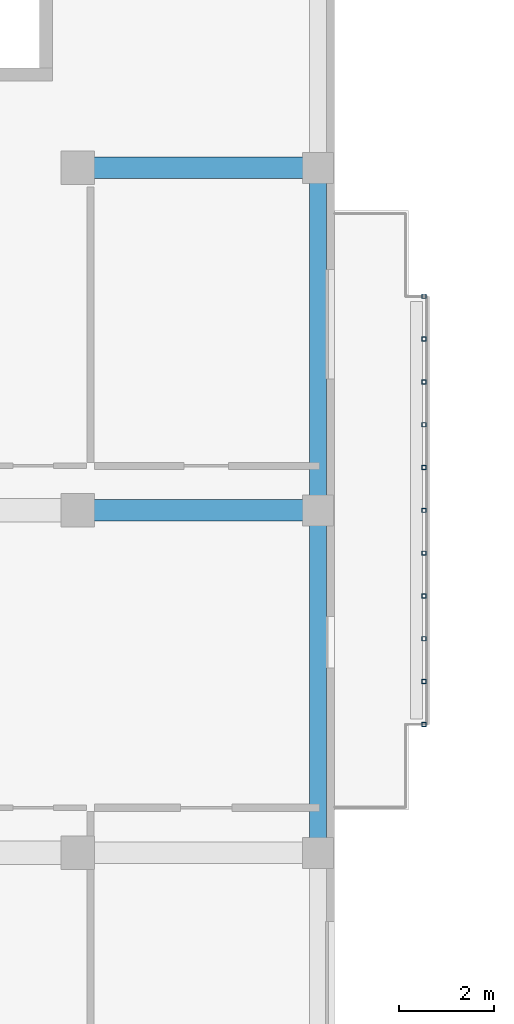
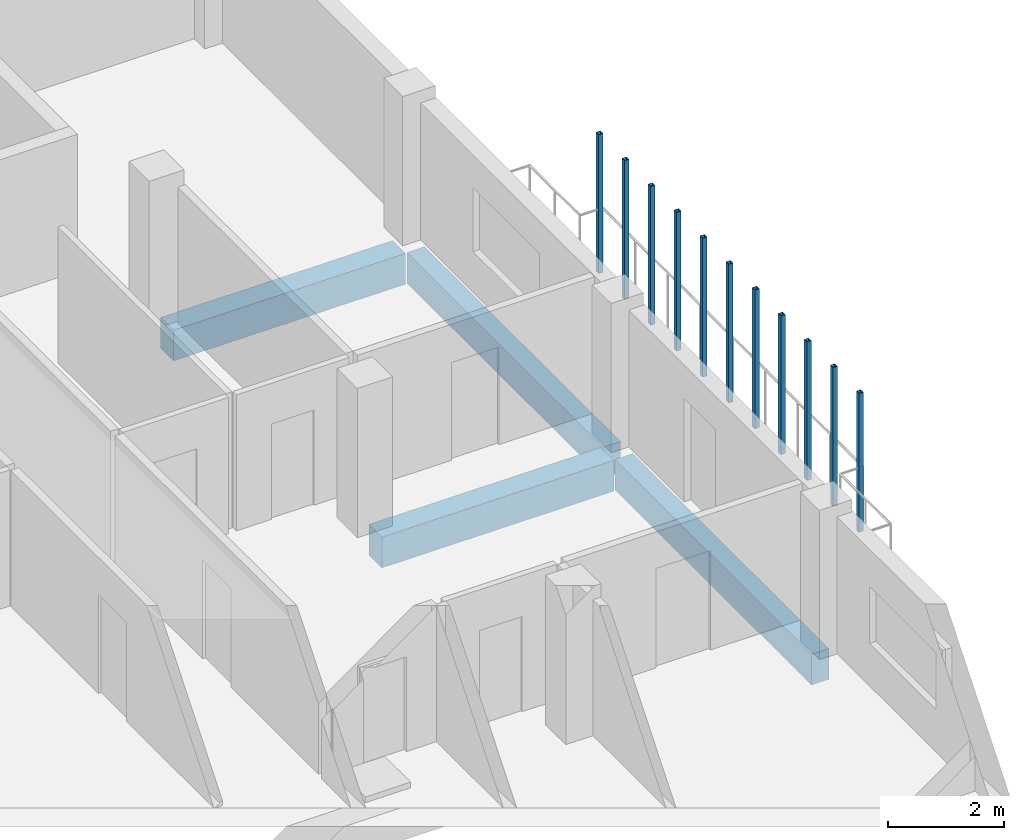
# One storey, part 13 of 51: 11 members, 4 beams.
"""IFC4 building model written with IfcOpenShell, lengths in metres."""

from ifc_helpers import new_model, si_unit, derived_unit, direction, frame, origin, origin_2d, place, context, subcontext, project, spatial, rectangle, hollow_rectangle, extrude, material, material_profile, profile_set, type_object, element, save


model = new_model("IFC4")

# Units and contexts
model_context = context("Model", 3, precision=1e-05, world=origin(), true_north=direction((0.0, 1.0)))
body_context = subcontext(model_context, "Body", "Model", "MODEL_VIEW")
ifc_project = project(units=[si_unit("LENGTHUNIT", "METRE"), si_unit("AREAUNIT", "SQUARE_METRE"), si_unit("VOLUMEUNIT", "CUBIC_METRE"), si_unit("PLANEANGLEUNIT", "RADIAN"), si_unit("MASSUNIT", "GRAM", prefix="KILO"), derived_unit("THERMALTRANSMITTANCEUNIT", [(si_unit("MASSUNIT", "GRAM", prefix="KILO"), 1), (si_unit("TIMEUNIT", "SECOND"), -3), (si_unit("THERMODYNAMICTEMPERATUREUNIT", "KELVIN"), -1)])], contexts=[model_context])

# Site, building, storey
site_placement = place(None, origin())
site = spatial("IfcSite", under=ifc_project, at=site_placement, CompositionType="ELEMENT")
building_placement = place(site_placement, origin())
building = spatial("IfcBuilding", under=site, at=building_placement, Name="Ochrekiln Boulevard Commons", CompositionType="ELEMENT")
storey_placement = place(building_placement, frame((0.0, 0.0, 18.375)))
storey = spatial("IfcBuildingStorey", under=building, at=storey_placement, Name="L05", CompositionType="ELEMENT", Elevation=18.375)

# Beams
ifc_material_1 = material(Name="Concrete C35/45", Category="concrete")
ifc_material_profile_1 = material_profile(ifc_material_1, rectangle(XDim=0.449951171875, YDim=0.64990234375, at=origin_2d()), Name="RC-BM-450x650")
ifc_profile_set_1 = profile_set([ifc_material_profile_1], Name="Concrete C35/45")
beam_type_1 = type_object("IfcBeamType", Name="BM-RC-450x650", PredefinedType="BEAM", material=ifc_profile_set_1)
for number, where, z_axis, x_axis, name in (
    (1, (16.409912109375, 104.39990234375, -0.5849609375), (1.0, 0.0, 0.0), (0.0, 1.0, 0.0), "Block A L05 Beam B-4565 X17"),
    (2, (16.409912109375, 111.60009765625, -0.5849609375), (1.0, 0.0, 0.0), (0.0, 1.0, 0.0), "Block A L05 Beam B-4565 X19"),
):
    element("IfcBeam", number, at=place(storey_placement, frame(where, z_axis=z_axis, x_axis=x_axis)), inside=storey, type_object=beam_type_1, Name=name, PredefinedType="BEAM", context=body_context, shape_type="SweptSolid", body=[
        extrude(rectangle(XDim=0.449951171875, YDim=0.64990234375, at=origin_2d()), origin(), (0.0, 0.0, 1.0), 4.630126953125),
    ])

# Members
ifc_material_2 = material(Name="Steel A500 Grade C", Category="steel")
ifc_material_profile_2 = material_profile(ifc_material_2, hollow_rectangle(XDim=0.090087890625, YDim=0.090087890625, WallThickness=0.00634765625, at=origin_2d()), Name="HSS90X90X6.4")
ifc_profile_set_2 = profile_set([ifc_material_profile_2], Name="Steel A500 Grade C")
member_type = type_object("IfcMemberType", Name="MEM-PST-HSS90", PredefinedType="POST", material=ifc_profile_set_2)
for number, where, z_axis, x_axis, name in (
    (3, (23.47998046875, 99.89990234375, 0.0), (0.0, 0.0, 1.0), (1.0, 0.0, 0.0), "Block A L05 Slim Vertical Balcony Post (122)"),
    (4, (23.47998046875, 100.800048828125, 0.0), (0.0, 0.0, 1.0), (1.0, 0.0, 0.0), "Block A L05 Slim Vertical Balcony Post (123)"),
    (5, (23.47998046875, 101.699951171875, 0.0), (0.0, 0.0, 1.0), (1.0, 0.0, 0.0), "Block A L05 Slim Vertical Balcony Post (124)"),
    (6, (23.47998046875, 102.60009765625, 0.0), (0.0, 0.0, 1.0), (1.0, 0.0, 0.0), "Block A L05 Slim Vertical Balcony Post (125)"),
    (7, (23.47998046875, 103.5, 0.0), (0.0, 0.0, 1.0), (1.0, 0.0, 0.0), "Block A L05 Slim Vertical Balcony Post (126)"),
    (8, (23.47998046875, 104.39990234375, 0.0), (0.0, 0.0, 1.0), (1.0, 0.0, 0.0), "Block A L05 Slim Vertical Balcony Post (127)"),
    (9, (23.47998046875, 105.300048828125, 0.0), (0.0, 0.0, 1.0), (1.0, 0.0, 0.0), "Block A L05 Slim Vertical Balcony Post (128)"),
    (10, (23.47998046875, 106.199951171875, 0.0), (0.0, 0.0, 1.0), (1.0, 0.0, 0.0), "Block A L05 Slim Vertical Balcony Post (129)"),
    (11, (23.47998046875, 107.10009765625, 0.0), (0.0, 0.0, 1.0), (1.0, 0.0, 0.0), "Block A L05 Slim Vertical Balcony Post (130)"),
    (12, (23.47998046875, 108.0, 0.0), (0.0, 0.0, 1.0), (1.0, 0.0, 0.0), "Block A L05 Slim Vertical Balcony Post (131)"),
    (13, (23.47998046875, 108.89990234375, 0.0), (0.0, 0.0, 1.0), (1.0, 0.0, 0.0), "Block A L05 Slim Vertical Balcony Post (132)"),
):
    element("IfcMember", number, at=place(storey_placement, frame(where, z_axis=z_axis, x_axis=x_axis)), inside=storey, type_object=member_type, Name=name, PredefinedType="POST", context=body_context, shape_type="SweptSolid", body=[
        extrude(hollow_rectangle(XDim=0.090087890625, YDim=0.090087890625, WallThickness=0.00634765625, at=origin_2d()), origin(), (0.0, 0.0, 1.0), 2.929931640625),
    ])

# Beams
ifc_material_3 = material(Name="Concrete C40/50", Category="concrete")
ifc_material_profile_3 = material_profile(ifc_material_3, rectangle(XDim=0.35009765625, YDim=0.64990234375, at=origin_2d()), Name="RC-SPN-350x650")
ifc_profile_set_3 = profile_set([ifc_material_profile_3], Name="Concrete C40/50")
beam_type_2 = type_object("IfcBeamType", Name="SPN-RC-350x650", PredefinedType="SPANDREL", material=ifc_profile_set_3)
beam_1_placement = place(storey_placement, frame((21.25, 97.409912109375, -0.5849609375), z_axis=(0.0, 1.0, 0.0), x_axis=(-1.0, 0.0, 0.0)))
element("IfcBeam", 14, at=beam_1_placement, inside=storey, type_object=beam_type_2, Name="Block A L05 Beam SP-3565 Y34", PredefinedType="SPANDREL", context=body_context, shape_type="SweptSolid", body=[
    extrude(rectangle(XDim=0.35009765625, YDim=0.64990234375, at=origin_2d()), origin(), (0.0, 0.0, 1.0), 6.780029296875),
])
beam_2_placement = place(storey_placement, frame((21.25, 104.610107421875, -0.5849609375), z_axis=(0.0, 1.0, 0.0), x_axis=(-1.0, 0.0, 0.0)))
element("IfcBeam", 15, at=beam_2_placement, inside=storey, type_object=beam_type_2, Name="Block A L05 Beam SP-3565 Y35", PredefinedType="SPANDREL", context=body_context, shape_type="SweptSolid", body=[
    extrude(rectangle(XDim=0.35009765625, YDim=0.64990234375, at=origin_2d()), origin(), (0.0, 0.0, 1.0), 6.77978515625),
])

save(model, "model.ifc")
